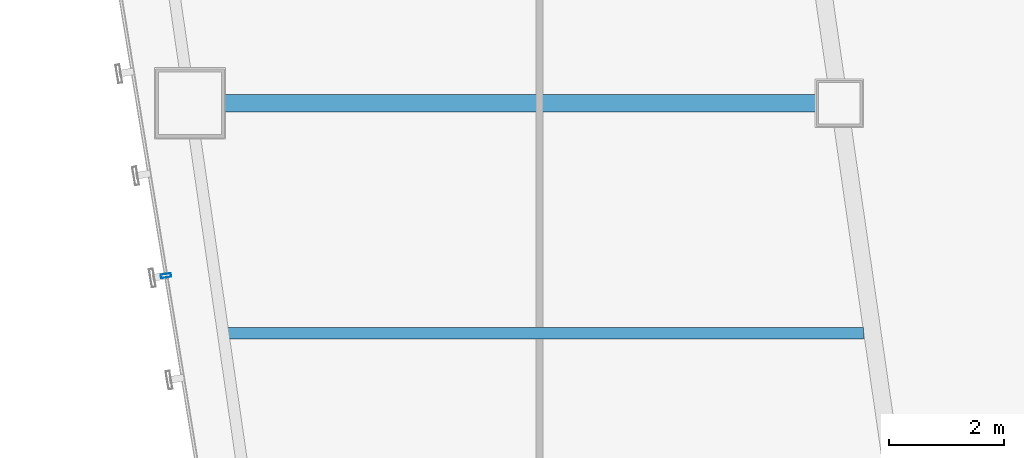
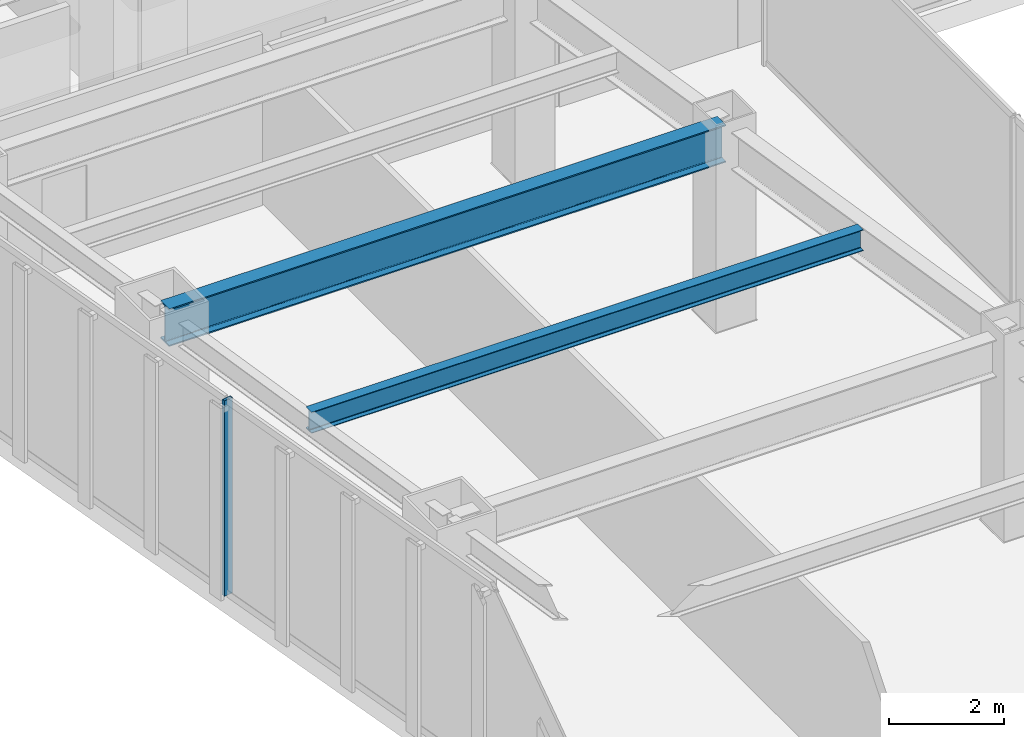
# One storey, part 11 of 49: 2 beams, 1 member, 1 element without a shape of its own.
"""IFC4 building model written with IfcOpenShell, lengths in metres."""

from ifc_helpers import new_model, si_unit, direction, frame, origin, origin_2d, place, context, subcontext, project, spatial, hollow_rectangle, i_section, extrude, material, material_profile, profile_set, type_object, element, aggregate, save


model = new_model("IFC4")

# Units and contexts
model_context = context("Model", 3, precision=1e-05, world=origin(), true_north=direction((0.0, 1.0)))
body_context = subcontext(model_context, "Body", "Model", "MODEL_VIEW")
ifc_project = project(units=[si_unit("LENGTHUNIT", "METRE"), si_unit("AREAUNIT", "SQUARE_METRE"), si_unit("VOLUMEUNIT", "CUBIC_METRE"), si_unit("PLANEANGLEUNIT", "RADIAN"), si_unit("MASSUNIT", "GRAM", prefix="KILO")], contexts=[model_context])

# Site, building, storey
site_placement = place(None, origin())
site = spatial("IfcSite", under=ifc_project, at=site_placement, CompositionType="ELEMENT")
building_placement = place(site_placement, origin())
building = spatial("IfcBuilding", under=site, at=building_placement, Name="Saevonmaru Cultural Tower", CompositionType="ELEMENT")
storey_placement = place(building_placement, frame((0.0, 0.0, 38.39990234375)))
storey = spatial("IfcBuildingStorey", under=building, at=storey_placement, Name="L07", CompositionType="ELEMENT", Elevation=38.39990234375)

# Beams
ifc_material_1 = material(Name="Steel SM420", Category="steel")
ifc_material_profile_1 = material_profile(ifc_material_1, i_section(OverallWidth=0.300048828125, OverallDepth=0.800048828125, WebThickness=0.013916015625, FlangeThickness=0.02587890625, FilletRadius=0.028076171875, at=origin_2d()), Name="H-800x300x14x26")
ifc_profile_set_1 = profile_set([ifc_material_profile_1], Name="Steel SM420")
beam_type_1 = type_object("IfcBeamType", Name="BM-G-H800", PredefinedType="BEAM", material=ifc_profile_set_1)
beam_1_placement = place(storey_placement, frame((8.376953125, 32.0, 3.75), z_axis=(1.0, 0.0, 0.0), x_axis=(0.0, 1.0, 0.0)))
element("IfcBeam", 1, at=beam_1_placement, inside=storey, type_object=beam_type_1, Name="L07 West Wing Transverse Girder 5", PredefinedType="BEAM", context=body_context, shape_type="SweptSolid", body=[
    extrude(i_section(OverallWidth=0.300048828125, OverallDepth=0.800048828125, WebThickness=0.013916015625, FlangeThickness=0.02587890625, FilletRadius=0.028076171875, at=origin_2d()), origin(), (0.0, 0.0, 1.0), 11.179931640625),
])
ifc_material_2 = material(Name="Steel SM355", Category="steel")
ifc_material_profile_2 = material_profile(ifc_material_2, i_section(OverallWidth=0.199951171875, OverallDepth=0.449951171875, WebThickness=0.009033203125, FlangeThickness=0.013916015625, FilletRadius=0.01806640625, at=origin_2d()), Name="H-450x200x9x14")
ifc_profile_set_2 = profile_set([ifc_material_profile_2], Name="Steel SM355")
beam_type_2 = type_object("IfcBeamType", Name="BM-J-H450", PredefinedType="JOIST", material=ifc_profile_set_2)
beam_2_placement = place(storey_placement, frame((8.95458984375, 28.0, 3.925048828125), z_axis=(1.0, 0.0, 0.0), x_axis=(0.0, 1.0, 0.0)))
element("IfcBeam", 2, at=beam_2_placement, inside=storey, type_object=beam_type_2, Name="L07 West Wing Floor Joist 4", PredefinedType="JOIST", context=body_context, shape_type="SweptSolid", body=[
    extrude(i_section(OverallWidth=0.199951171875, OverallDepth=0.449951171875, WebThickness=0.009033203125, FlangeThickness=0.013916015625, FilletRadius=0.01806640625, at=origin_2d()), origin(), (0.0, 0.0, 1.0), 11.08203125),
])

# Curtain wall, member
ifc_material_3 = material(Name="Satin Bronze Anodised Aluminium", Category="aluminium")
curtain_wall_type = type_object("IfcCurtainWallType", Name="CW-TYP-A", PredefinedType="NOTDEFINED", material=ifc_material_3)
curtain_wall_placement = place(storey_placement, origin())
curtain_wall = element("IfcCurtainWall", 3, at=curtain_wall_placement, inside=storey, type_object=curtain_wall_type, Name="L07 Unitised Curtain Wall E12", PredefinedType="NOTDEFINED")
ifc_material_profile_3 = material_profile(ifc_material_3, hollow_rectangle(XDim=0.06494140625, YDim=0.179931640625, WallThickness=0.00390625, at=origin_2d()), Name="ALU-MULL-180x65x4")
ifc_profile_set_3 = profile_set([ifc_material_profile_3], Name="Satin Bronze Anodised Aluminium")
member_type = type_object("IfcMemberType", Name="ML-CW-180x65", PredefinedType="MULLION", material=ifc_profile_set_3)
member_placement = place(storey_placement, frame((7.89990234375, 29.0, 0.0), z_axis=(0.0, 0.0, 1.0), x_axis=(0.161708868641, -0.986838508472, 0.0)))
member = element("IfcMember", 4, at=member_placement, type_object=member_type, Name="CW-TW-L07-E12 mullion 3", PredefinedType="MULLION", context=body_context, shape_type="SweptSolid", body=[
    extrude(hollow_rectangle(XDim=0.06494140625, YDim=0.179931640625, WallThickness=0.00390625, at=origin_2d()), origin(), (0.0, 0.0, 1.0), 4.150146484375),
])
aggregate(curtain_wall, [member])

save(model, "model.ifc")
